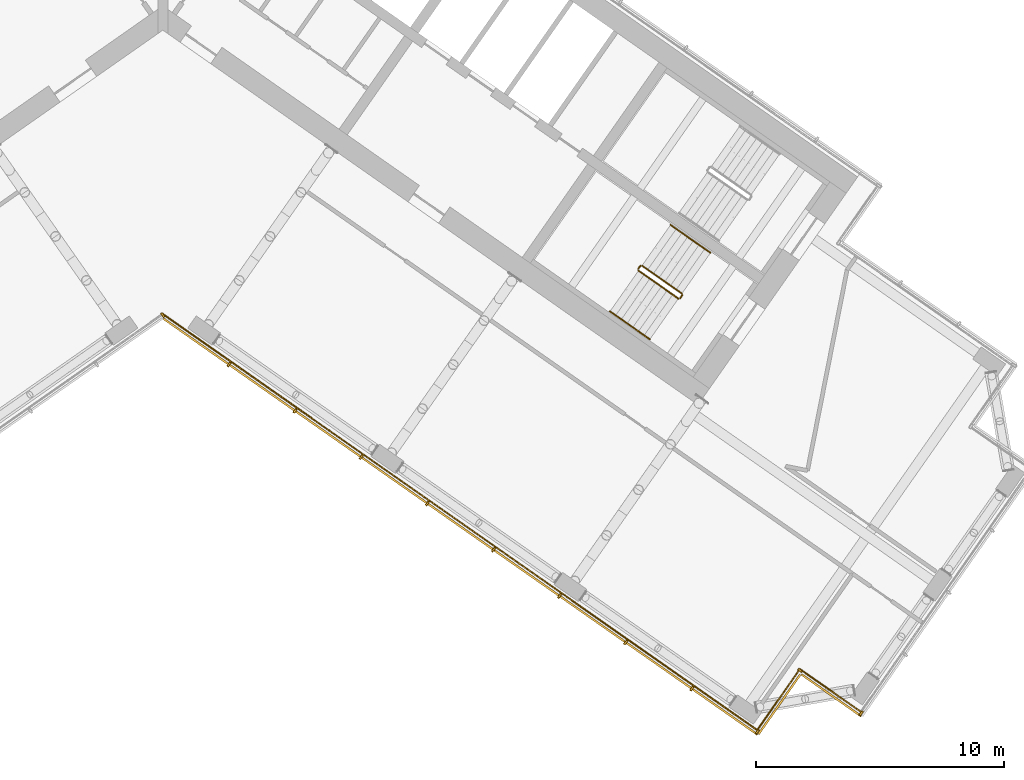
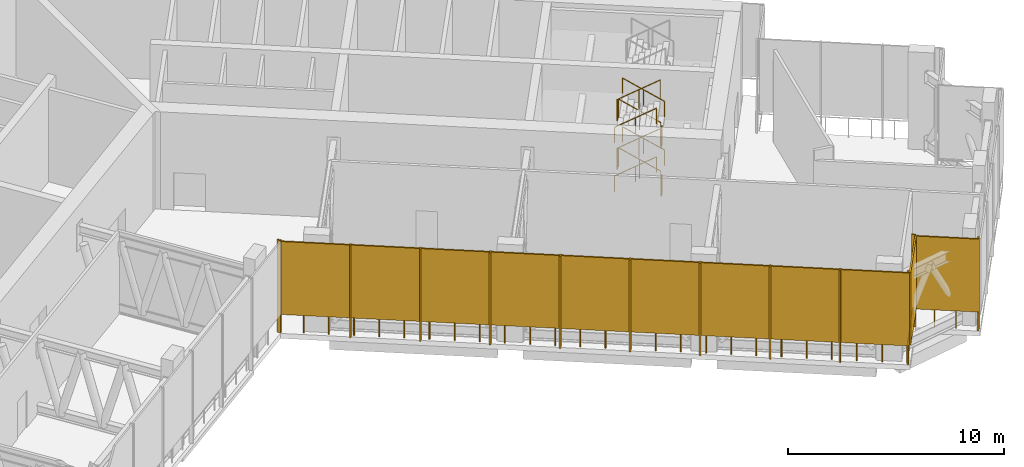
# One storey, part 15 of 19: 23 shading devices, 15 railings.
"""IFC4 building model written with IfcOpenShell, lengths in metres."""

from ifc_helpers import new_model, si_unit, direction, frame, origin, origin_2d, place, context, subcontext, project, spatial, rectangle, circle, extrude, material, layer, layer_set, type_object, element, save


model = new_model("IFC4")

# Units and contexts
model_context = context("Model", 3, precision=1e-05, world=origin(), true_north=direction((0.0, 1.0)))
body_context = subcontext(model_context, "Body", "Model", "MODEL_VIEW")
ifc_project = project(units=[si_unit("LENGTHUNIT", "METRE"), si_unit("AREAUNIT", "SQUARE_METRE"), si_unit("VOLUMEUNIT", "CUBIC_METRE"), si_unit("PLANEANGLEUNIT", "RADIAN"), si_unit("MASSUNIT", "GRAM", prefix="KILO")], contexts=[model_context])

# Site, building, storey
site_placement = place(None, origin())
site = spatial("IfcSite", under=ifc_project, at=site_placement, CompositionType="ELEMENT")
building_placement = place(site_placement, origin())
building = spatial("IfcBuilding", under=site, at=building_placement, Name="Tel Ilan Convention Tower", CompositionType="ELEMENT")
storey_placement = place(building_placement, frame((0.0, 0.0, 213.89990234375)))
storey = spatial("IfcBuildingStorey", under=building, at=storey_placement, Name="L50", CompositionType="ELEMENT", Elevation=213.89990234375)

# Shading devices
ifc_material_1 = material(Name="Perforated aluminium sheet, bronze anodised", Category="aluminium")
ifc_layer_1 = layer(ifc_material_1, 0.080078125)
ifc_layer_set_1 = layer_set([ifc_layer_1], Name="PERFORATED SCREEN 80")
shading_device_type_1 = type_object("IfcShadingDeviceType", Name="PERFORATED SCREEN 80", PredefinedType="USERDEFINED", material=ifc_layer_set_1)
for number, where, z_axis, x_axis, name in (
    (1, (1.3310546875, -13.750244140625, 1.10009765625), (0.0, 0.0, 1.0), (0.819152044289, -0.573576436351, 0.0), "SCREEN"),
    (2, (3.9931640625, -15.614013671875, 1.10009765625), (0.0, 0.0, 1.0), (0.819152044289, -0.573576436351, 0.0), "SCREEN"),
    (3, (6.655029296875, -17.47802734375, 1.10009765625), (0.0, 0.0, 1.0), (0.819152044289, -0.573576436351, 0.0), "SCREEN"),
    (4, (9.317138671875, -19.342041015625, 1.10009765625), (0.0, 0.0, 1.0), (0.819152044289, -0.573576436351, 0.0), "SCREEN"),
    (5, (11.979248046875, -21.2060546875, 1.10009765625), (0.0, 0.0, 1.0), (0.819152044289, -0.573576436351, 0.0), "SCREEN"),
    (6, (14.641357421875, -23.070068359375, 1.10009765625), (0.0, 0.0, 1.0), (0.819152044289, -0.573576436351, 0.0), "SCREEN"),
    (7, (17.30322265625, -24.93408203125, 1.10009765625), (0.0, 0.0, 1.0), (0.819152044289, -0.573576436351, 0.0), "SCREEN"),
    (8, (19.96533203125, -26.798095703125, 1.10009765625), (0.0, 0.0, 1.0), (0.819152044289, -0.573576436351, 0.0), "SCREEN"),
    (9, (22.62744140625, -28.662109375, 1.10009765625), (0.0, 0.0, 1.0), (0.819152044289, -0.573576436351, 0.0), "SCREEN"),
):
    element("IfcShadingDevice", number, at=place(storey_placement, frame(where, z_axis=z_axis, x_axis=x_axis)), inside=storey, type_object=shading_device_type_1, Name=name, ObjectType="SCREEN", PredefinedType="USERDEFINED", context=body_context, shape_type="SweptSolid", body=[
        extrude(rectangle(XDim=3.189697265625, YDim=0.080078125, at=origin_2d()), origin(), (0.0, 0.0, 1.0), 4.1201171875),
    ])
for number, where, z_axis, x_axis, name in (
    (10, (24.81884765625, -28.365234375, 1.10009765625), (0.0, 0.0, 1.0), (0.573576436351, 0.819152044289, 0.0), "SCREEN"),
    (11, (26.907958984375, -27.996826171875, 1.10009765625), (0.0, 0.0, 1.0), (0.819152044289, -0.573576436351, 0.0), "SCREEN"),
):
    element("IfcShadingDevice", number, at=place(storey_placement, frame(where, z_axis=z_axis, x_axis=x_axis)), inside=storey, type_object=shading_device_type_1, Name=name, ObjectType="SCREEN", PredefinedType="USERDEFINED", context=body_context, shape_type="SweptSolid", body=[
        extrude(rectangle(XDim=2.93994140625, YDim=0.080078125, at=origin_2d()), origin(), (0.0, 0.0, 1.0), 4.1201171875),
    ])

# Railings
ifc_material_2 = material(Name="Stainless steel S316", Category="steel")
railing_type_1 = type_object("IfcRailingType", Name="REFUGE EDGE GUARD 1100", PredefinedType="GUARDRAIL", material=ifc_material_2)
railing_1_placement = place(storey_placement, frame((28.102294921875, -28.662353515625, 0.0)))
element("IfcRailing", 12, at=railing_1_placement, inside=storey, type_object=railing_type_1, Name="Refuge edge guard 39.R15", PredefinedType="GUARDRAIL", context=body_context, shape_type="SweptSolid", body=[
    extrude(circle(Radius=0.02490234375, at=origin_2d()), frame((0.0, 0.0, 1.0751953125), z_axis=(-0.819163097304, 0.573560650686, 0.0), x_axis=(-0.573560650686, -0.819163097304, 0.0)), (0.0, 0.0, 1.0), 3.0),
    extrude(circle(Radius=0.02490234375, at=origin_2d()), origin(), (0.0, 0.0, 1.0), 1.050048828125),
    extrude(circle(Radius=0.02490234375, at=origin_2d()), frame((-0.819091796875, 0.573486328125, 0.0)), (0.0, 0.0, 1.0), 1.050048828125),
    extrude(circle(Radius=0.02490234375, at=origin_2d()), frame((-1.638427734375, 1.147216796875, 0.0)), (0.0, 0.0, 1.0), 1.050048828125),
    extrude(circle(Radius=0.02490234375, at=origin_2d()), frame((-2.45751953125, 1.720703125, 0.0)), (0.0, 0.0, 1.0), 1.050048828125),
])
railing_2_placement = place(storey_placement, frame((25.644775390625, -26.941650390625, 0.0)))
element("IfcRailing", 13, at=railing_2_placement, inside=storey, type_object=railing_type_1, Name="Refuge edge guard 39.R16", PredefinedType="GUARDRAIL", context=body_context, shape_type="SweptSolid", body=[
    extrude(circle(Radius=0.02490234375, at=origin_2d()), frame((0.0, 0.0, 1.0751953125), z_axis=(-0.573598887793, -0.819136323161, 0.0), x_axis=(0.819136323161, -0.573598887793, 0.0)), (0.0, 0.0, 1.0), 2.999755859375),
    extrude(circle(Radius=0.02490234375, at=origin_2d()), origin(), (0.0, 0.0, 1.0), 1.050048828125),
    extrude(circle(Radius=0.02490234375, at=origin_2d()), frame((-0.573486328125, -0.819091796875, 0.0)), (0.0, 0.0, 1.0), 1.050048828125),
    extrude(circle(Radius=0.02490234375, at=origin_2d()), frame((-1.147216796875, -1.63818359375, 0.0)), (0.0, 0.0, 1.0), 1.050048828125),
    extrude(circle(Radius=0.02490234375, at=origin_2d()), frame((-1.720703125, -2.457275390625, 0.0)), (0.0, 0.0, 1.0), 1.050048828125),
])
railing_3_placement = place(storey_placement, frame((23.924072265625, -29.39892578125, 0.0)))
element("IfcRailing", 14, at=railing_3_placement, inside=storey, type_object=railing_type_1, Name="Refuge edge guard 39.R17", PredefinedType="GUARDRAIL", context=body_context, shape_type="SweptSolid", body=[
    extrude(circle(Radius=0.02490234375, at=origin_2d()), frame((0.0, 0.0, 1.0751953125), z_axis=(-0.819153761788, 0.5735739835, 0.0), x_axis=(-0.5735739835, -0.819153761788, 0.0)), (0.0, 0.0, 1.0), 29.205810546875),
    extrude(circle(Radius=0.02490234375, at=origin_2d()), origin(), (0.0, 0.0, 1.0), 1.050048828125),
    extrude(circle(Radius=0.02490234375, at=origin_2d()), frame((-0.95703125, 0.670166015625, 0.0)), (0.0, 0.0, 1.0), 1.050048828125),
    extrude(circle(Radius=0.02490234375, at=origin_2d()), frame((-1.913818359375, 1.340087890625, 0.0)), (0.0, 0.0, 1.0), 1.050048828125),
    extrude(circle(Radius=0.02490234375, at=origin_2d()), frame((-2.870849609375, 2.01025390625, 0.0)), (0.0, 0.0, 1.0), 1.050048828125),
    extrude(circle(Radius=0.02490234375, at=origin_2d()), frame((-3.827880859375, 2.68017578125, 0.0)), (0.0, 0.0, 1.0), 1.050048828125),
    extrude(circle(Radius=0.02490234375, at=origin_2d()), frame((-4.784912109375, 3.350341796875, 0.0)), (0.0, 0.0, 1.0), 1.050048828125),
    extrude(circle(Radius=0.02490234375, at=origin_2d()), frame((-5.74169921875, 4.0205078125, 0.0)), (0.0, 0.0, 1.0), 1.050048828125),
    extrude(circle(Radius=0.02490234375, at=origin_2d()), frame((-6.69873046875, 4.6904296875, 0.0)), (0.0, 0.0, 1.0), 1.050048828125),
    extrude(circle(Radius=0.02490234375, at=origin_2d()), frame((-7.65576171875, 5.360595703125, 0.0)), (0.0, 0.0, 1.0), 1.050048828125),
    extrude(circle(Radius=0.02490234375, at=origin_2d()), frame((-8.612548828125, 6.030517578125, 0.0)), (0.0, 0.0, 1.0), 1.050048828125),
    extrude(circle(Radius=0.02490234375, at=origin_2d()), frame((-9.569580078125, 6.70068359375, 0.0)), (0.0, 0.0, 1.0), 1.050048828125),
    extrude(circle(Radius=0.02490234375, at=origin_2d()), frame((-10.526611328125, 7.370849609375, 0.0)), (0.0, 0.0, 1.0), 1.050048828125),
    extrude(circle(Radius=0.02490234375, at=origin_2d()), frame((-11.483642578125, 8.040771484375, 0.0)), (0.0, 0.0, 1.0), 1.050048828125),
    extrude(circle(Radius=0.02490234375, at=origin_2d()), frame((-12.4404296875, 8.7109375, 0.0)), (0.0, 0.0, 1.0), 1.050048828125),
    extrude(circle(Radius=0.02490234375, at=origin_2d()), frame((-13.3974609375, 9.380859375, 0.0)), (0.0, 0.0, 1.0), 1.050048828125),
    extrude(circle(Radius=0.02490234375, at=origin_2d()), frame((-14.3544921875, 10.051025390625, 0.0)), (0.0, 0.0, 1.0), 1.050048828125),
    extrude(circle(Radius=0.02490234375, at=origin_2d()), frame((-15.3115234375, 10.72119140625, 0.0)), (0.0, 0.0, 1.0), 1.050048828125),
    extrude(circle(Radius=0.02490234375, at=origin_2d()), frame((-16.268310546875, 11.39111328125, 0.0)), (0.0, 0.0, 1.0), 1.050048828125),
    extrude(circle(Radius=0.02490234375, at=origin_2d()), frame((-17.225341796875, 12.061279296875, 0.0)), (0.0, 0.0, 1.0), 1.050048828125),
    extrude(circle(Radius=0.02490234375, at=origin_2d()), frame((-18.182373046875, 12.731201171875, 0.0)), (0.0, 0.0, 1.0), 1.050048828125),
    extrude(circle(Radius=0.02490234375, at=origin_2d()), frame((-19.13916015625, 13.4013671875, 0.0)), (0.0, 0.0, 1.0), 1.050048828125),
    extrude(circle(Radius=0.02490234375, at=origin_2d()), frame((-20.09619140625, 14.071533203125, 0.0)), (0.0, 0.0, 1.0), 1.050048828125),
    extrude(circle(Radius=0.02490234375, at=origin_2d()), frame((-21.05322265625, 14.741455078125, 0.0)), (0.0, 0.0, 1.0), 1.050048828125),
    extrude(circle(Radius=0.02490234375, at=origin_2d()), frame((-22.01025390625, 15.41162109375, 0.0)), (0.0, 0.0, 1.0), 1.050048828125),
    extrude(circle(Radius=0.02490234375, at=origin_2d()), frame((-22.967041015625, 16.08154296875, 0.0)), (0.0, 0.0, 1.0), 1.050048828125),
    extrude(circle(Radius=0.02490234375, at=origin_2d()), frame((-23.924072265625, 16.751708984375, 0.0)), (0.0, 0.0, 1.0), 1.050048828125),
])

# Shading devices
ifc_material_3 = material(Name="Perforated aluminium sheet, bronze anodised", Category="aluminium")
ifc_layer_2 = layer(ifc_material_3, 0.080078125)
ifc_layer_set_2 = layer_set([ifc_layer_2], Name="SCREEN CORNER CLOSURE 80x200")
shading_device_type_2 = type_object("IfcShadingDeviceType", Name="SCREEN CORNER CLOSURE 80x200", PredefinedType="USERDEFINED", material=ifc_layer_set_2)
for number, where, z_axis, x_axis, name in (
    (15, (0.0, -12.696044921875, 0.0), (0.0, 0.0, 1.0), (0.819152044289, 0.573576436351, 0.0), "SCREEN"),
    (16, (23.933837890625, -29.454833984375, 0.0), (0.0, 0.0, 1.0), (0.819152044289, -0.573576436351, 0.0), "SCREEN"),
    (17, (25.654541015625, -26.997314453125, 0.0), (0.0, 0.0, 1.0), (0.573576436351, 0.819152044289, 0.0), "SCREEN"),
    (18, (28.112060546875, -28.718017578125, 0.0), (0.0, 0.0, 1.0), (0.819152044289, -0.573576436351, 0.0), "SCREEN"),
):
    element("IfcShadingDevice", number, at=place(storey_placement, frame(where, z_axis=z_axis, x_axis=x_axis)), inside=storey, type_object=shading_device_type_2, Name=name, ObjectType="SCREEN", PredefinedType="USERDEFINED", context=body_context, shape_type="SweptSolid", body=[
        extrude(rectangle(XDim=0.080078125, YDim=0.199951171875, at=origin_2d()), origin(), (0.0, 0.0, 1.0), 5.219970703125),
    ])
ifc_material_4 = material(Name="Aluminium, bronze anodised", Category="aluminium")
ifc_layer_3 = layer(ifc_material_4, 0.080078125)
ifc_layer_set_3 = layer_set([ifc_layer_3], Name="SCREEN POST 80x200")
shading_device_type_3 = type_object("IfcShadingDeviceType", Name="SCREEN POST 80x200", PredefinedType="USERDEFINED", material=ifc_layer_set_3)
for number, where, z_axis, x_axis, name in (
    (19, (2.662109375, -14.68212890625, 0.0), (0.0, 0.0, 1.0), (0.819152044289, -0.573576436351, 0.0), "Screen post"),
    (20, (5.323974609375, -16.546142578125, 0.0), (0.0, 0.0, 1.0), (0.819152044289, -0.573576436351, 0.0), "Screen post"),
    (21, (7.986083984375, -18.41015625, 0.0), (0.0, 0.0, 1.0), (0.819152044289, -0.573576436351, 0.0), "Screen post"),
    (22, (10.648193359375, -20.274169921875, 0.0), (0.0, 0.0, 1.0), (0.819152044289, -0.573576436351, 0.0), "Screen post"),
    (23, (13.310302734375, -22.137939453125, 0.0), (0.0, 0.0, 1.0), (0.819152044289, -0.573576436351, 0.0), "Screen post"),
    (24, (15.97216796875, -24.001953125, 0.0), (0.0, 0.0, 1.0), (0.819152044289, -0.573576436351, 0.0), "Screen post"),
    (25, (18.63427734375, -25.865966796875, 0.0), (0.0, 0.0, 1.0), (0.819152044289, -0.573576436351, 0.0), "Screen post"),
    (26, (21.29638671875, -27.72998046875, 0.0), (0.0, 0.0, 1.0), (0.819152044289, -0.573576436351, 0.0), "Screen post"),
):
    element("IfcShadingDevice", number, at=place(storey_placement, frame(where, z_axis=z_axis, x_axis=x_axis)), inside=storey, type_object=shading_device_type_3, Name=name, ObjectType="SCREEN POST", PredefinedType="USERDEFINED", context=body_context, shape_type="SweptSolid", body=[
        extrude(rectangle(XDim=0.080078125, YDim=0.199951171875, at=origin_2d()), origin(), (0.0, 0.0, 1.0), 5.219970703125),
    ])

# Railings
ifc_material_5 = material(Name="Stainless Steel Grade 316", Category="steel")
railing_type_2 = type_object("IfcRailingType", Name="Stainless Steel Stair Guard 1100 mm", PredefinedType="GUARDRAIL", material=ifc_material_5)
railing_4_placement = place(storey_placement, frame((20.89697265625, -11.824462890625, 0.171875)))
element("IfcRailing", 27, at=railing_4_placement, inside=storey, type_object=railing_type_2, Name="L50 S4 stair guard 1", PredefinedType="GUARDRAIL", context=body_context, shape_type="SweptSolid", body=[
    extrude(circle(Radius=0.02392578125, at=origin_2d()), frame((0.0, 0.0, 1.076171875), z_axis=(-0.698094737943, 0.488857400886, 0.523146421621), x_axis=(-0.573612813533, -0.819126571508, 0.0)), (0.0, 0.0, 1.0), 2.2998046875),
    extrude(circle(Radius=0.02099609375, at=origin_2d()), origin(), (0.0, 0.0, 1.0), 1.052001953125),
    extrude(circle(Radius=0.02099609375, at=origin_2d()), frame((-0.802734375, 0.56201171875, 0.6015625)), (0.0, 0.0, 1.0), 1.052001953125),
    extrude(circle(Radius=0.02099609375, at=origin_2d()), frame((-1.60546875, 1.124267578125, 1.203125)), (0.0, 0.0, 1.0), 1.052001953125),
])
railing_5_placement = place(storey_placement, frame((19.2216796875, -10.71240234375, 1.375)))
element("IfcRailing", 28, at=railing_5_placement, inside=storey, type_object=railing_type_2, Name="L50 S4 stair guard 2", PredefinedType="GUARDRAIL", context=body_context, shape_type="SweptSolid", body=[
    extrude(circle(Radius=0.02392578125, at=origin_2d()), frame((0.0, 0.0, 1.076171875), z_axis=(-0.572588637393, -0.819842821722, 0.0), x_axis=(0.819842821722, -0.572588637393, 0.0)), (0.0, 0.0, 1.0), 0.150146484375),
    extrude(circle(Radius=0.02099609375, at=origin_2d()), origin(), (0.0, 0.0, 1.0), 1.052001953125),
    extrude(circle(Radius=0.02099609375, at=origin_2d()), frame((-0.0859375, -0.123046875, 0.0)), (0.0, 0.0, 1.0), 1.052001953125),
])
railing_6_placement = place(storey_placement, frame((19.14794921875, -10.905029296875, 1.546875)))
element("IfcRailing", 29, at=railing_6_placement, inside=storey, type_object=railing_type_2, Name="L50 S4 stair guard 3", PredefinedType="GUARDRAIL", context=body_context, shape_type="SweptSolid", body=[
    extrude(circle(Radius=0.02392578125, at=origin_2d()), frame((0.0, 0.0, 1.076171875), z_axis=(0.698149155229, -0.488821173762, 0.523107653485), x_axis=(0.573554290663, 0.819167550421, 0.0)), (0.0, 0.0, 1.0), 2.300048828125),
    extrude(circle(Radius=0.02099609375, at=origin_2d()), origin(), (0.0, 0.0, 1.0), 1.052001953125),
    extrude(circle(Radius=0.02099609375, at=origin_2d()), frame((0.802734375, -0.56201171875, 0.6015625)), (0.0, 0.0, 1.0), 1.052001953125),
    extrude(circle(Radius=0.02099609375, at=origin_2d()), frame((1.605712890625, -1.124267578125, 1.203125)), (0.0, 0.0, 1.0), 1.052001953125),
])
railing_7_placement = place(storey_placement, frame((20.9091796875, -11.89404296875, 2.75)))
element("IfcRailing", 30, at=railing_7_placement, inside=storey, type_object=railing_type_2, Name="L50 S4 stair guard 4", PredefinedType="GUARDRAIL", context=body_context, shape_type="SweptSolid", body=[
    extrude(circle(Radius=0.02392578125, at=origin_2d()), frame((0.0, 0.0, 1.076171875), z_axis=(-0.573353020881, -0.819308436089, 0.0), x_axis=(0.819308436089, -0.573353020881, 0.0)), (0.0, 0.0, 1.0), 0.14990234375),
    extrude(circle(Radius=0.02099609375, at=origin_2d()), origin(), (0.0, 0.0, 1.0), 1.052001953125),
    extrude(circle(Radius=0.02099609375, at=origin_2d()), frame((-0.0859375, -0.122802734375, 0.0)), (0.0, 0.0, 1.0), 1.052001953125),
])
railing_8_placement = place(storey_placement, frame((20.89697265625, -11.824462890625, 2.921875)))
element("IfcRailing", 31, at=railing_8_placement, inside=storey, type_object=railing_type_2, Name="L50 S4 stair guard 5", PredefinedType="GUARDRAIL", context=body_context, shape_type="SweptSolid", body=[
    extrude(circle(Radius=0.02392578125, at=origin_2d()), frame((0.0, 0.0, 1.076171875), z_axis=(-0.698094737943, 0.488857400886, 0.523146421621), x_axis=(-0.573612813533, -0.819126571508, 0.0)), (0.0, 0.0, 1.0), 2.2998046875),
    extrude(circle(Radius=0.02099609375, at=origin_2d()), origin(), (0.0, 0.0, 1.0), 1.052001953125),
    extrude(circle(Radius=0.02099609375, at=origin_2d()), frame((-0.802734375, 0.56201171875, 0.6015625)), (0.0, 0.0, 1.0), 1.052001953125),
    extrude(circle(Radius=0.02099609375, at=origin_2d()), frame((-1.60546875, 1.124267578125, 1.203125)), (0.0, 0.0, 1.0), 1.052001953125),
])
railing_9_placement = place(storey_placement, frame((19.2216796875, -10.71240234375, 4.125)))
element("IfcRailing", 32, at=railing_9_placement, inside=storey, type_object=railing_type_2, Name="L50 S4 stair guard 6", PredefinedType="GUARDRAIL", context=body_context, shape_type="SweptSolid", body=[
    extrude(circle(Radius=0.02392578125, at=origin_2d()), frame((0.0, 0.0, 1.076171875), z_axis=(-0.572588637393, -0.819842821722, 0.0), x_axis=(0.819842821722, -0.572588637393, 0.0)), (0.0, 0.0, 1.0), 0.150146484375),
    extrude(circle(Radius=0.02099609375, at=origin_2d()), origin(), (0.0, 0.0, 1.0), 1.052001953125),
    extrude(circle(Radius=0.02099609375, at=origin_2d()), frame((-0.0859375, -0.123046875, 0.0)), (0.0, 0.0, 1.0), 1.052001953125),
])
railing_10_placement = place(storey_placement, frame((19.14794921875, -10.905029296875, 4.296875)))
element("IfcRailing", 33, at=railing_10_placement, inside=storey, type_object=railing_type_2, Name="L50 S4 stair guard 7", PredefinedType="GUARDRAIL", context=body_context, shape_type="SweptSolid", body=[
    extrude(circle(Radius=0.02392578125, at=origin_2d()), frame((0.0, 0.0, 1.076171875), z_axis=(0.698149155229, -0.488821173762, 0.523107653485), x_axis=(0.573554290663, 0.819167550421, 0.0)), (0.0, 0.0, 1.0), 2.300048828125),
    extrude(circle(Radius=0.02099609375, at=origin_2d()), origin(), (0.0, 0.0, 1.0), 1.052001953125),
    extrude(circle(Radius=0.02099609375, at=origin_2d()), frame((0.802734375, -0.56201171875, 0.6015625)), (0.0, 0.0, 1.0), 1.052001953125),
    extrude(circle(Radius=0.02099609375, at=origin_2d()), frame((1.605712890625, -1.124267578125, 1.203125)), (0.0, 0.0, 1.0), 1.052001953125),
])
railing_11_placement = place(storey_placement, frame((20.9091796875, -11.89404296875, 0.0)))
element("IfcRailing", 34, at=railing_11_placement, inside=storey, type_object=railing_type_2, Name="L50 S4 stair guard 8", PredefinedType="GUARDRAIL", context=body_context, shape_type="SweptSolid", body=[
    extrude(circle(Radius=0.02392578125, at=origin_2d()), frame((0.0, 0.0, 1.076171875), z_axis=(-0.573353020881, -0.819308436089, 0.0), x_axis=(0.819308436089, -0.573353020881, 0.0)), (0.0, 0.0, 1.0), 0.14990234375),
    extrude(circle(Radius=0.02099609375, at=origin_2d()), origin(), (0.0, 0.0, 1.0), 1.052001953125),
    extrude(circle(Radius=0.02099609375, at=origin_2d()), frame((-0.0859375, -0.122802734375, 0.0)), (0.0, 0.0, 1.0), 1.052001953125),
])
ifc_material_6 = material(Name="Stainless Steel Grade 316", Category="steel")
railing_type_3 = type_object("IfcRailingType", Name="Stainless Steel Stair Handrail 900 mm", PredefinedType="HANDRAIL", material=ifc_material_6)
railing_12_placement = place(storey_placement, frame((22.044189453125, -10.18603515625, 0.171875)))
element("IfcRailing", 35, at=railing_12_placement, inside=storey, type_object=railing_type_3, Name="L50 S4 stair handrail 1", PredefinedType="HANDRAIL", context=body_context, shape_type="SweptSolid", body=[
    extrude(circle(Radius=0.02392578125, at=origin_2d()), frame((0.0, 0.0, 0.8759765625), z_axis=(-0.698185379967, 0.488740381537, 0.523134795876), x_axis=(-0.573470704013, -0.8192260687, 0.0)), (0.0, 0.0, 1.0), 2.2998046875),
    extrude(circle(Radius=0.02099609375, at=origin_2d()), origin(), (0.0, 0.0, 1.0), 0.851806640625),
    extrude(circle(Radius=0.02099609375, at=origin_2d()), frame((-0.802734375, 0.56201171875, 0.6015625)), (0.0, 0.0, 1.0), 0.851806640625),
    extrude(circle(Radius=0.02099609375, at=origin_2d()), frame((-1.605712890625, 1.1240234375, 1.203125)), (0.0, 0.0, 1.0), 0.851806640625),
])
railing_13_placement = place(storey_placement, frame((18.0009765625, -12.543212890625, 1.546875)))
element("IfcRailing", 36, at=railing_13_placement, inside=storey, type_object=railing_type_3, Name="L50 S4 stair handrail 2", PredefinedType="HANDRAIL", context=body_context, shape_type="SweptSolid", body=[
    extrude(circle(Radius=0.02392578125, at=origin_2d()), frame((0.0, 0.0, 0.8759765625), z_axis=(0.698094737943, -0.488857400886, 0.523146421621), x_axis=(0.573612813533, 0.819126571508, 0.0)), (0.0, 0.0, 1.0), 2.2998046875),
    extrude(circle(Radius=0.02099609375, at=origin_2d()), origin(), (0.0, 0.0, 1.0), 0.851806640625),
    extrude(circle(Radius=0.02099609375, at=origin_2d()), frame((0.802734375, -0.56201171875, 0.6015625)), (0.0, 0.0, 1.0), 0.851806640625),
    extrude(circle(Radius=0.02099609375, at=origin_2d()), frame((1.60546875, -1.124267578125, 1.203125)), (0.0, 0.0, 1.0), 0.851806640625),
])
railing_14_placement = place(storey_placement, frame((22.044189453125, -10.18603515625, 2.921875)))
element("IfcRailing", 37, at=railing_14_placement, inside=storey, type_object=railing_type_3, Name="L50 S4 stair handrail 3", PredefinedType="HANDRAIL", context=body_context, shape_type="SweptSolid", body=[
    extrude(circle(Radius=0.02392578125, at=origin_2d()), frame((0.0, 0.0, 0.8759765625), z_axis=(-0.698185379967, 0.488740381537, 0.523134795876), x_axis=(-0.573470704013, -0.8192260687, 0.0)), (0.0, 0.0, 1.0), 2.2998046875),
    extrude(circle(Radius=0.02099609375, at=origin_2d()), origin(), (0.0, 0.0, 1.0), 0.851806640625),
    extrude(circle(Radius=0.02099609375, at=origin_2d()), frame((-0.802734375, 0.56201171875, 0.6015625)), (0.0, 0.0, 1.0), 0.851806640625),
    extrude(circle(Radius=0.02099609375, at=origin_2d()), frame((-1.605712890625, 1.1240234375, 1.203125)), (0.0, 0.0, 1.0), 0.851806640625),
])
railing_15_placement = place(storey_placement, frame((18.0009765625, -12.543212890625, 4.296875)))
element("IfcRailing", 38, at=railing_15_placement, inside=storey, type_object=railing_type_3, Name="L50 S4 stair handrail 4", PredefinedType="HANDRAIL", context=body_context, shape_type="SweptSolid", body=[
    extrude(circle(Radius=0.02392578125, at=origin_2d()), frame((0.0, 0.0, 0.8759765625), z_axis=(0.698094737943, -0.488857400886, 0.523146421621), x_axis=(0.573612813533, 0.819126571508, 0.0)), (0.0, 0.0, 1.0), 2.2998046875),
    extrude(circle(Radius=0.02099609375, at=origin_2d()), origin(), (0.0, 0.0, 1.0), 0.851806640625),
    extrude(circle(Radius=0.02099609375, at=origin_2d()), frame((0.802734375, -0.56201171875, 0.6015625)), (0.0, 0.0, 1.0), 0.851806640625),
    extrude(circle(Radius=0.02099609375, at=origin_2d()), frame((1.60546875, -1.124267578125, 1.203125)), (0.0, 0.0, 1.0), 0.851806640625),
])

save(model, "model.ifc")
